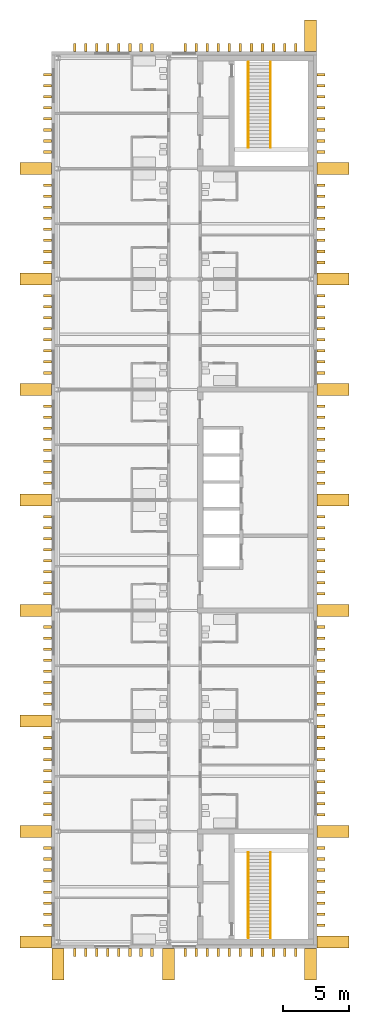
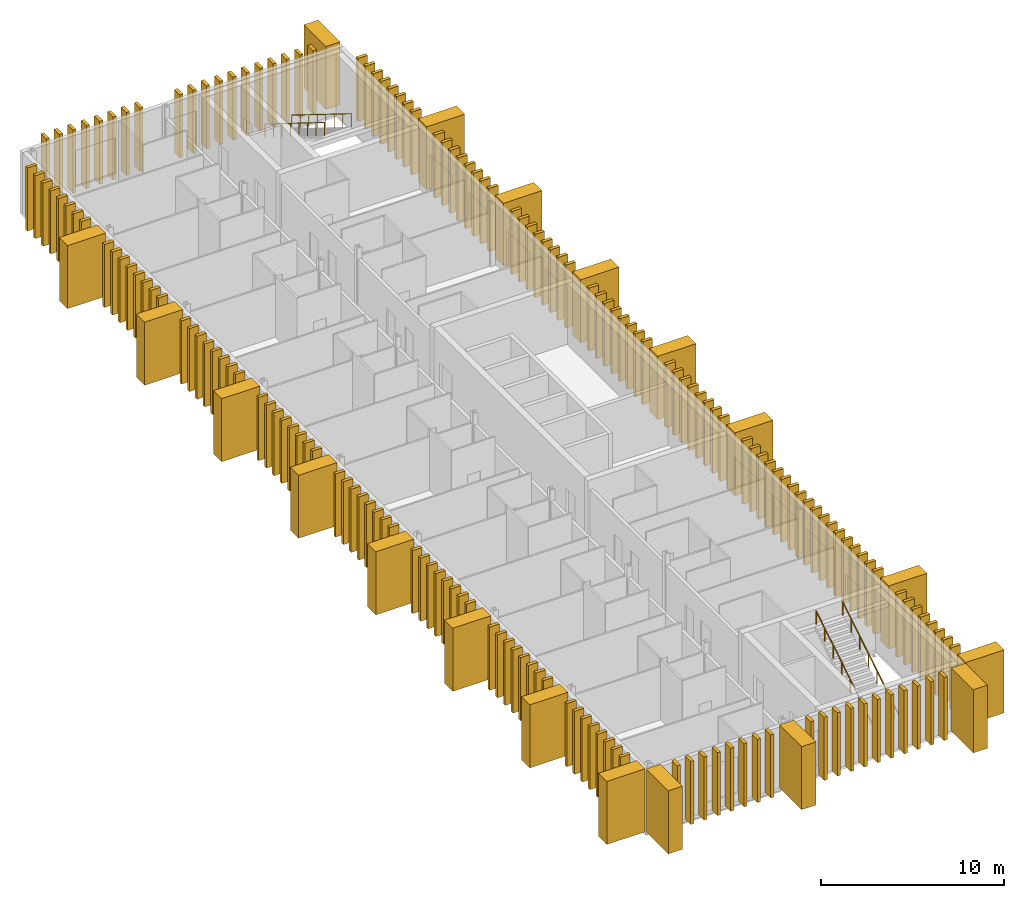
# One storey, part 10 of 11: 187 coverings, 4 railings.
"""IFC4 building model written with IfcOpenShell, lengths in metres."""

from ifc_helpers import new_model, si_unit, direction, frame, origin, origin_2d, place, context, subcontext, project, spatial, rectangle, circle, extrude, material, type_object, element, save


model = new_model("IFC4")

# Units and contexts
model_context = context("Model", 3, precision=1e-05, world=origin(), true_north=direction((0.0, 1.0)))
body_context = subcontext(model_context, "Body", "Model", "MODEL_VIEW")
ifc_project = project(units=[si_unit("LENGTHUNIT", "METRE"), si_unit("AREAUNIT", "SQUARE_METRE"), si_unit("VOLUMEUNIT", "CUBIC_METRE"), si_unit("PLANEANGLEUNIT", "RADIAN"), si_unit("MASSUNIT", "GRAM", prefix="KILO")], contexts=[model_context])

# Site, building, storey
site_placement = place(None, origin())
site = spatial("IfcSite", under=ifc_project, at=site_placement, CompositionType="ELEMENT")
building_placement = place(site_placement, origin())
building = spatial("IfcBuilding", under=site, at=building_placement, Name="Cresset Court Congress Hotel", CompositionType="ELEMENT")
storey_placement = place(building_placement, frame((0.0, 0.0, 60.60009765625)))
storey = spatial("IfcBuildingStorey", under=building, at=storey_placement, Name="L14", CompositionType="ELEMENT", Elevation=60.60009765625)

# Coverings
ifc_material_1 = material(Name="Precast concrete C50", Category="concrete")
covering_type_1 = type_object("IfcCoveringType", Name="Precast stone fin 200x600", PredefinedType="CLADDING", material=ifc_material_1)
for number, where, z_axis, x_axis, name in (
    (1, (177.199951171875, 1.260009765625, 0.0), (0.0, 0.0, 1.0), (1.0, 0.0, 0.0), "Fin E002"),
    (2, (177.199951171875, 2.10009765625, 0.0), (0.0, 0.0, 1.0), (1.0, 0.0, 0.0), "Fin E003"),
    (3, (177.199951171875, 2.93994140625, 0.0), (0.0, 0.0, 1.0), (1.0, 0.0, 0.0), "Fin E004"),
    (4, (177.199951171875, 3.780029296875, 0.0), (0.0, 0.0, 1.0), (1.0, 0.0, 0.0), "Fin E005"),
    (5, (177.199951171875, 4.6201171875, 0.0), (0.0, 0.0, 1.0), (1.0, 0.0, 0.0), "Fin E006"),
    (6, (177.199951171875, 5.4599609375, 0.0), (0.0, 0.0, 1.0), (1.0, 0.0, 0.0), "Fin E007"),
    (7, (177.199951171875, 6.300048828125, 0.0), (0.0, 0.0, 1.0), (1.0, 0.0, 0.0), "Fin E008"),
    (8, (177.199951171875, 7.139892578125, 0.0), (0.0, 0.0, 1.0), (1.0, 0.0, 0.0), "Fin E009"),
    (9, (177.199951171875, 9.659912109375, 0.0), (0.0, 0.0, 1.0), (1.0, 0.0, 0.0), "Fin E012"),
    (10, (177.199951171875, 10.5, 0.0), (0.0, 0.0, 1.0), (1.0, 0.0, 0.0), "Fin E013"),
    (11, (177.199951171875, 11.340087890625, 0.0), (0.0, 0.0, 1.0), (1.0, 0.0, 0.0), "Fin E014"),
    (12, (177.199951171875, 12.179931640625, 0.0), (0.0, 0.0, 1.0), (1.0, 0.0, 0.0), "Fin E015"),
    (13, (177.199951171875, 13.02001953125, 0.0), (0.0, 0.0, 1.0), (1.0, 0.0, 0.0), "Fin E016"),
    (14, (177.199951171875, 13.860107421875, 0.0), (0.0, 0.0, 1.0), (1.0, 0.0, 0.0), "Fin E017"),
    (15, (177.199951171875, 14.699951171875, 0.0), (0.0, 0.0, 1.0), (1.0, 0.0, 0.0), "Fin E018"),
    (16, (177.199951171875, 15.5400390625, 0.0), (0.0, 0.0, 1.0), (1.0, 0.0, 0.0), "Fin E019"),
    (17, (177.199951171875, 16.3798828125, 0.0), (0.0, 0.0, 1.0), (1.0, 0.0, 0.0), "Fin E020"),
    (18, (177.199951171875, 17.219970703125, 0.0), (0.0, 0.0, 1.0), (1.0, 0.0, 0.0), "Fin E021"),
    (19, (177.199951171875, 18.06005859375, 0.0), (0.0, 0.0, 1.0), (1.0, 0.0, 0.0), "Fin E022"),
    (20, (177.199951171875, 18.89990234375, 0.0), (0.0, 0.0, 1.0), (1.0, 0.0, 0.0), "Fin E023"),
    (21, (177.199951171875, 19.739990234375, 0.0), (0.0, 0.0, 1.0), (1.0, 0.0, 0.0), "Fin E024"),
    (22, (177.199951171875, 20.580078125, 0.0), (0.0, 0.0, 1.0), (1.0, 0.0, 0.0), "Fin E025"),
    (23, (177.199951171875, 21.419921875, 0.0), (0.0, 0.0, 1.0), (1.0, 0.0, 0.0), "Fin E026"),
    (24, (177.199951171875, 22.260009765625, 0.0), (0.0, 0.0, 1.0), (1.0, 0.0, 0.0), "Fin E027"),
    (25, (177.199951171875, 23.10009765625, 0.0), (0.0, 0.0, 1.0), (1.0, 0.0, 0.0), "Fin E028"),
    (26, (177.199951171875, 23.93994140625, 0.0), (0.0, 0.0, 1.0), (1.0, 0.0, 0.0), "Fin E029"),
    (27, (177.199951171875, 26.4599609375, 0.0), (0.0, 0.0, 1.0), (1.0, 0.0, 0.0), "Fin E032"),
    (28, (177.199951171875, 27.300048828125, 0.0), (0.0, 0.0, 1.0), (1.0, 0.0, 0.0), "Fin E033"),
    (29, (177.199951171875, 28.139892578125, 0.0), (0.0, 0.0, 1.0), (1.0, 0.0, 0.0), "Fin E034"),
    (30, (177.199951171875, 28.97998046875, 0.0), (0.0, 0.0, 1.0), (1.0, 0.0, 0.0), "Fin E035"),
    (31, (177.199951171875, 29.820068359375, 0.0), (0.0, 0.0, 1.0), (1.0, 0.0, 0.0), "Fin E036"),
    (32, (177.199951171875, 30.659912109375, 0.0), (0.0, 0.0, 1.0), (1.0, 0.0, 0.0), "Fin E037"),
    (33, (177.199951171875, 31.5, 0.0), (0.0, 0.0, 1.0), (1.0, 0.0, 0.0), "Fin E038"),
    (34, (177.199951171875, 32.340087890625, 0.0), (0.0, 0.0, 1.0), (1.0, 0.0, 0.0), "Fin E039"),
    (35, (177.199951171875, 34.860107421875, 0.0), (0.0, 0.0, 1.0), (1.0, 0.0, 0.0), "Fin E042"),
    (36, (177.199951171875, 35.699951171875, 0.0), (0.0, 0.0, 1.0), (1.0, 0.0, 0.0), "Fin E043"),
    (37, (177.199951171875, 36.5400390625, 0.0), (0.0, 0.0, 1.0), (1.0, 0.0, 0.0), "Fin E044"),
    (38, (177.199951171875, 37.3798828125, 0.0), (0.0, 0.0, 1.0), (1.0, 0.0, 0.0), "Fin E045"),
    (39, (177.199951171875, 38.219970703125, 0.0), (0.0, 0.0, 1.0), (1.0, 0.0, 0.0), "Fin E046"),
    (40, (177.199951171875, 39.06005859375, 0.0), (0.0, 0.0, 1.0), (1.0, 0.0, 0.0), "Fin E047"),
    (41, (177.199951171875, 39.89990234375, 0.0), (0.0, 0.0, 1.0), (1.0, 0.0, 0.0), "Fin E048"),
    (42, (177.199951171875, 40.739990234375, 0.0), (0.0, 0.0, 1.0), (1.0, 0.0, 0.0), "Fin E049"),
    (43, (177.199951171875, 43.260009765625, 0.0), (0.0, 0.0, 1.0), (1.0, 0.0, 0.0), "Fin E052"),
    (44, (177.199951171875, 44.10009765625, 0.0), (0.0, 0.0, 1.0), (1.0, 0.0, 0.0), "Fin E053"),
    (45, (177.199951171875, 44.93994140625, 0.0), (0.0, 0.0, 1.0), (1.0, 0.0, 0.0), "Fin E054"),
    (46, (177.199951171875, 45.780029296875, 0.0), (0.0, 0.0, 1.0), (1.0, 0.0, 0.0), "Fin E055"),
    (47, (177.199951171875, 46.6201171875, 0.0), (0.0, 0.0, 1.0), (1.0, 0.0, 0.0), "Fin E056"),
    (48, (177.199951171875, 47.4599609375, 0.0), (0.0, 0.0, 1.0), (1.0, 0.0, 0.0), "Fin E057"),
    (49, (177.199951171875, 48.300048828125, 0.0), (0.0, 0.0, 1.0), (1.0, 0.0, 0.0), "Fin E058"),
    (50, (177.199951171875, 49.139892578125, 0.0), (0.0, 0.0, 1.0), (1.0, 0.0, 0.0), "Fin E059"),
    (51, (177.199951171875, 51.659912109375, 0.0), (0.0, 0.0, 1.0), (1.0, 0.0, 0.0), "Fin E062"),
    (52, (177.199951171875, 52.5, 0.0), (0.0, 0.0, 1.0), (1.0, 0.0, 0.0), "Fin E063"),
    (53, (177.199951171875, 53.340087890625, 0.0), (0.0, 0.0, 1.0), (1.0, 0.0, 0.0), "Fin E064"),
    (54, (177.199951171875, 54.179931640625, 0.0), (0.0, 0.0, 1.0), (1.0, 0.0, 0.0), "Fin E065"),
    (55, (177.199951171875, 55.02001953125, 0.0), (0.0, 0.0, 1.0), (1.0, 0.0, 0.0), "Fin E066"),
    (56, (177.199951171875, 55.860107421875, 0.0), (0.0, 0.0, 1.0), (1.0, 0.0, 0.0), "Fin E067"),
    (57, (177.199951171875, 56.699951171875, 0.0), (0.0, 0.0, 1.0), (1.0, 0.0, 0.0), "Fin E068"),
    (58, (177.199951171875, 57.5400390625, 0.0), (0.0, 0.0, 1.0), (1.0, 0.0, 0.0), "Fin E069"),
    (59, (177.199951171875, 60.06005859375, 0.0), (0.0, 0.0, 1.0), (1.0, 0.0, 0.0), "Fin E072"),
    (60, (177.199951171875, 60.89990234375, 0.0), (0.0, 0.0, 1.0), (1.0, 0.0, 0.0), "Fin E073"),
    (61, (177.199951171875, 61.739990234375, 0.0), (0.0, 0.0, 1.0), (1.0, 0.0, 0.0), "Fin E074"),
    (62, (177.199951171875, 62.580078125, 0.0), (0.0, 0.0, 1.0), (1.0, 0.0, 0.0), "Fin E075"),
    (63, (177.199951171875, 63.419921875, 0.0), (0.0, 0.0, 1.0), (1.0, 0.0, 0.0), "Fin E076"),
    (64, (177.199951171875, 64.260009765625, 0.0), (0.0, 0.0, 1.0), (1.0, 0.0, 0.0), "Fin E077"),
    (65, (177.199951171875, 65.10009765625, 0.0), (0.0, 0.0, 1.0), (1.0, 0.0, 0.0), "Fin E078"),
    (66, (177.199951171875, 65.93994140625, 0.0), (0.0, 0.0, 1.0), (1.0, 0.0, 0.0), "Fin E079"),
    (67, (156.39990234375, 1.260009765625, 0.0), (0.0, 0.0, 1.0), (1.0, 0.0, 0.0), "Fin W002"),
    (68, (156.39990234375, 2.10009765625, 0.0), (0.0, 0.0, 1.0), (1.0, 0.0, 0.0), "Fin W003"),
    (69, (156.39990234375, 2.93994140625, 0.0), (0.0, 0.0, 1.0), (1.0, 0.0, 0.0), "Fin W004"),
    (70, (156.39990234375, 3.780029296875, 0.0), (0.0, 0.0, 1.0), (1.0, 0.0, 0.0), "Fin W005"),
    (71, (156.39990234375, 4.6201171875, 0.0), (0.0, 0.0, 1.0), (1.0, 0.0, 0.0), "Fin W006"),
    (72, (156.39990234375, 5.4599609375, 0.0), (0.0, 0.0, 1.0), (1.0, 0.0, 0.0), "Fin W007"),
    (73, (156.39990234375, 6.300048828125, 0.0), (0.0, 0.0, 1.0), (1.0, 0.0, 0.0), "Fin W008"),
    (74, (156.39990234375, 7.139892578125, 0.0), (0.0, 0.0, 1.0), (1.0, 0.0, 0.0), "Fin W009"),
    (75, (156.39990234375, 9.659912109375, 0.0), (0.0, 0.0, 1.0), (1.0, 0.0, 0.0), "Fin W012"),
    (76, (156.39990234375, 10.5, 0.0), (0.0, 0.0, 1.0), (1.0, 0.0, 0.0), "Fin W013"),
    (77, (156.39990234375, 11.340087890625, 0.0), (0.0, 0.0, 1.0), (1.0, 0.0, 0.0), "Fin W014"),
    (78, (156.39990234375, 12.179931640625, 0.0), (0.0, 0.0, 1.0), (1.0, 0.0, 0.0), "Fin W015"),
    (79, (156.39990234375, 13.02001953125, 0.0), (0.0, 0.0, 1.0), (1.0, 0.0, 0.0), "Fin W016"),
    (80, (156.39990234375, 13.860107421875, 0.0), (0.0, 0.0, 1.0), (1.0, 0.0, 0.0), "Fin W017"),
    (81, (156.39990234375, 14.699951171875, 0.0), (0.0, 0.0, 1.0), (1.0, 0.0, 0.0), "Fin W018"),
    (82, (156.39990234375, 15.5400390625, 0.0), (0.0, 0.0, 1.0), (1.0, 0.0, 0.0), "Fin W019"),
    (83, (156.39990234375, 18.06005859375, 0.0), (0.0, 0.0, 1.0), (1.0, 0.0, 0.0), "Fin W022"),
    (84, (156.39990234375, 18.89990234375, 0.0), (0.0, 0.0, 1.0), (1.0, 0.0, 0.0), "Fin W023"),
    (85, (156.39990234375, 19.739990234375, 0.0), (0.0, 0.0, 1.0), (1.0, 0.0, 0.0), "Fin W024"),
    (86, (156.39990234375, 20.580078125, 0.0), (0.0, 0.0, 1.0), (1.0, 0.0, 0.0), "Fin W025"),
    (87, (156.39990234375, 21.419921875, 0.0), (0.0, 0.0, 1.0), (1.0, 0.0, 0.0), "Fin W026"),
    (88, (156.39990234375, 22.260009765625, 0.0), (0.0, 0.0, 1.0), (1.0, 0.0, 0.0), "Fin W027"),
    (89, (156.39990234375, 23.10009765625, 0.0), (0.0, 0.0, 1.0), (1.0, 0.0, 0.0), "Fin W028"),
    (90, (156.39990234375, 23.93994140625, 0.0), (0.0, 0.0, 1.0), (1.0, 0.0, 0.0), "Fin W029"),
    (91, (156.39990234375, 26.4599609375, 0.0), (0.0, 0.0, 1.0), (1.0, 0.0, 0.0), "Fin W032"),
    (92, (156.39990234375, 27.300048828125, 0.0), (0.0, 0.0, 1.0), (1.0, 0.0, 0.0), "Fin W033"),
    (93, (156.39990234375, 28.139892578125, 0.0), (0.0, 0.0, 1.0), (1.0, 0.0, 0.0), "Fin W034"),
    (94, (156.39990234375, 28.97998046875, 0.0), (0.0, 0.0, 1.0), (1.0, 0.0, 0.0), "Fin W035"),
    (95, (156.39990234375, 29.820068359375, 0.0), (0.0, 0.0, 1.0), (1.0, 0.0, 0.0), "Fin W036"),
    (96, (156.39990234375, 30.659912109375, 0.0), (0.0, 0.0, 1.0), (1.0, 0.0, 0.0), "Fin W037"),
    (97, (156.39990234375, 31.5, 0.0), (0.0, 0.0, 1.0), (1.0, 0.0, 0.0), "Fin W038"),
    (98, (156.39990234375, 32.340087890625, 0.0), (0.0, 0.0, 1.0), (1.0, 0.0, 0.0), "Fin W039"),
    (99, (156.39990234375, 34.860107421875, 0.0), (0.0, 0.0, 1.0), (1.0, 0.0, 0.0), "Fin W042"),
    (100, (156.39990234375, 35.699951171875, 0.0), (0.0, 0.0, 1.0), (1.0, 0.0, 0.0), "Fin W043"),
    (101, (156.39990234375, 36.5400390625, 0.0), (0.0, 0.0, 1.0), (1.0, 0.0, 0.0), "Fin W044"),
    (102, (156.39990234375, 37.3798828125, 0.0), (0.0, 0.0, 1.0), (1.0, 0.0, 0.0), "Fin W045"),
    (103, (156.39990234375, 38.219970703125, 0.0), (0.0, 0.0, 1.0), (1.0, 0.0, 0.0), "Fin W046"),
    (104, (156.39990234375, 39.06005859375, 0.0), (0.0, 0.0, 1.0), (1.0, 0.0, 0.0), "Fin W047"),
    (105, (156.39990234375, 39.89990234375, 0.0), (0.0, 0.0, 1.0), (1.0, 0.0, 0.0), "Fin W048"),
    (106, (156.39990234375, 40.739990234375, 0.0), (0.0, 0.0, 1.0), (1.0, 0.0, 0.0), "Fin W049"),
    (107, (156.39990234375, 43.260009765625, 0.0), (0.0, 0.0, 1.0), (1.0, 0.0, 0.0), "Fin W052"),
    (108, (156.39990234375, 44.10009765625, 0.0), (0.0, 0.0, 1.0), (1.0, 0.0, 0.0), "Fin W053"),
    (109, (156.39990234375, 44.93994140625, 0.0), (0.0, 0.0, 1.0), (1.0, 0.0, 0.0), "Fin W054"),
    (110, (156.39990234375, 45.780029296875, 0.0), (0.0, 0.0, 1.0), (1.0, 0.0, 0.0), "Fin W055"),
    (111, (156.39990234375, 46.6201171875, 0.0), (0.0, 0.0, 1.0), (1.0, 0.0, 0.0), "Fin W056"),
    (112, (156.39990234375, 47.4599609375, 0.0), (0.0, 0.0, 1.0), (1.0, 0.0, 0.0), "Fin W057"),
    (113, (156.39990234375, 48.300048828125, 0.0), (0.0, 0.0, 1.0), (1.0, 0.0, 0.0), "Fin W058"),
    (114, (156.39990234375, 49.139892578125, 0.0), (0.0, 0.0, 1.0), (1.0, 0.0, 0.0), "Fin W059"),
    (115, (156.39990234375, 51.659912109375, 0.0), (0.0, 0.0, 1.0), (1.0, 0.0, 0.0), "Fin W062"),
    (116, (156.39990234375, 52.5, 0.0), (0.0, 0.0, 1.0), (1.0, 0.0, 0.0), "Fin W063"),
    (117, (156.39990234375, 53.340087890625, 0.0), (0.0, 0.0, 1.0), (1.0, 0.0, 0.0), "Fin W064"),
    (118, (156.39990234375, 54.179931640625, 0.0), (0.0, 0.0, 1.0), (1.0, 0.0, 0.0), "Fin W065"),
    (119, (156.39990234375, 55.02001953125, 0.0), (0.0, 0.0, 1.0), (1.0, 0.0, 0.0), "Fin W066"),
    (120, (156.39990234375, 55.860107421875, 0.0), (0.0, 0.0, 1.0), (1.0, 0.0, 0.0), "Fin W067"),
    (121, (156.39990234375, 56.699951171875, 0.0), (0.0, 0.0, 1.0), (1.0, 0.0, 0.0), "Fin W068"),
    (122, (156.39990234375, 57.5400390625, 0.0), (0.0, 0.0, 1.0), (1.0, 0.0, 0.0), "Fin W069"),
    (123, (156.39990234375, 60.06005859375, 0.0), (0.0, 0.0, 1.0), (1.0, 0.0, 0.0), "Fin W072"),
    (124, (156.39990234375, 60.89990234375, 0.0), (0.0, 0.0, 1.0), (1.0, 0.0, 0.0), "Fin W073"),
    (125, (156.39990234375, 61.739990234375, 0.0), (0.0, 0.0, 1.0), (1.0, 0.0, 0.0), "Fin W074"),
    (126, (156.39990234375, 62.580078125, 0.0), (0.0, 0.0, 1.0), (1.0, 0.0, 0.0), "Fin W075"),
    (127, (156.39990234375, 63.419921875, 0.0), (0.0, 0.0, 1.0), (1.0, 0.0, 0.0), "Fin W076"),
    (128, (156.39990234375, 64.260009765625, 0.0), (0.0, 0.0, 1.0), (1.0, 0.0, 0.0), "Fin W077"),
    (129, (156.39990234375, 65.10009765625, 0.0), (0.0, 0.0, 1.0), (1.0, 0.0, 0.0), "Fin W078"),
    (130, (156.39990234375, 65.93994140625, 0.0), (0.0, 0.0, 1.0), (1.0, 0.0, 0.0), "Fin W079"),
):
    element("IfcCovering", number, at=place(storey_placement, frame(where, z_axis=z_axis, x_axis=x_axis)), inside=storey, type_object=covering_type_1, Name=name, PredefinedType="CLADDING", context=body_context, shape_type="SweptSolid", body=[
        extrude(rectangle(XDim=0.60009765625, YDim=0.199951171875, at=origin_2d()), origin(), (0.0, 0.0, 1.0), 4.199951171875),
    ])
for number, where, z_axis, x_axis, name in (
    (131, (158.4599609375, -0.800048828125, 0.0), (0.0, 0.0, 1.0), (1.0, 0.0, 0.0), "Fin S002"),
    (132, (159.300048828125, -0.800048828125, 0.0), (0.0, 0.0, 1.0), (1.0, 0.0, 0.0), "Fin S003"),
    (133, (160.139892578125, -0.800048828125, 0.0), (0.0, 0.0, 1.0), (1.0, 0.0, 0.0), "Fin S004"),
    (134, (160.97998046875, -0.800048828125, 0.0), (0.0, 0.0, 1.0), (1.0, 0.0, 0.0), "Fin S005"),
    (135, (161.820068359375, -0.800048828125, 0.0), (0.0, 0.0, 1.0), (1.0, 0.0, 0.0), "Fin S006"),
    (136, (162.659912109375, -0.800048828125, 0.0), (0.0, 0.0, 1.0), (1.0, 0.0, 0.0), "Fin S007"),
    (137, (163.5, -0.800048828125, 0.0), (0.0, 0.0, 1.0), (1.0, 0.0, 0.0), "Fin S008"),
    (138, (164.340087890625, -0.800048828125, 0.0), (0.0, 0.0, 1.0), (1.0, 0.0, 0.0), "Fin S009"),
    (139, (166.860107421875, -0.800048828125, 0.0), (0.0, 0.0, 1.0), (1.0, 0.0, 0.0), "Fin S012"),
    (140, (167.699951171875, -0.800048828125, 0.0), (0.0, 0.0, 1.0), (1.0, 0.0, 0.0), "Fin S013"),
    (141, (168.5400390625, -0.800048828125, 0.0), (0.0, 0.0, 1.0), (1.0, 0.0, 0.0), "Fin S014"),
    (142, (169.3798828125, -0.800048828125, 0.0), (0.0, 0.0, 1.0), (1.0, 0.0, 0.0), "Fin S015"),
    (143, (170.219970703125, -0.800048828125, 0.0), (0.0, 0.0, 1.0), (1.0, 0.0, 0.0), "Fin S016"),
    (144, (171.06005859375, -0.800048828125, 0.0), (0.0, 0.0, 1.0), (1.0, 0.0, 0.0), "Fin S017"),
    (145, (171.89990234375, -0.800048828125, 0.0), (0.0, 0.0, 1.0), (1.0, 0.0, 0.0), "Fin S018"),
    (146, (172.739990234375, -0.800048828125, 0.0), (0.0, 0.0, 1.0), (1.0, 0.0, 0.0), "Fin S019"),
    (147, (173.580078125, -0.800048828125, 0.0), (0.0, 0.0, 1.0), (1.0, 0.0, 0.0), "Fin S020"),
    (148, (174.419921875, -0.800048828125, 0.0), (0.0, 0.0, 1.0), (1.0, 0.0, 0.0), "Fin S021"),
    (149, (175.260009765625, -0.800048828125, 0.0), (0.0, 0.0, 1.0), (1.0, 0.0, 0.0), "Fin S022"),
    (150, (158.4599609375, 68.0, 0.0), (0.0, 0.0, 1.0), (1.0, 0.0, 0.0), "Fin N002"),
    (151, (159.300048828125, 68.0, 0.0), (0.0, 0.0, 1.0), (1.0, 0.0, 0.0), "Fin N003"),
    (152, (160.139892578125, 68.0, 0.0), (0.0, 0.0, 1.0), (1.0, 0.0, 0.0), "Fin N004"),
    (153, (160.97998046875, 68.0, 0.0), (0.0, 0.0, 1.0), (1.0, 0.0, 0.0), "Fin N005"),
    (154, (161.820068359375, 68.0, 0.0), (0.0, 0.0, 1.0), (1.0, 0.0, 0.0), "Fin N006"),
    (155, (162.659912109375, 68.0, 0.0), (0.0, 0.0, 1.0), (1.0, 0.0, 0.0), "Fin N007"),
    (156, (163.5, 68.0, 0.0), (0.0, 0.0, 1.0), (1.0, 0.0, 0.0), "Fin N008"),
    (157, (164.340087890625, 68.0, 0.0), (0.0, 0.0, 1.0), (1.0, 0.0, 0.0), "Fin N009"),
    (158, (166.860107421875, 68.0, 0.0), (0.0, 0.0, 1.0), (1.0, 0.0, 0.0), "Fin N012"),
    (159, (167.699951171875, 68.0, 0.0), (0.0, 0.0, 1.0), (1.0, 0.0, 0.0), "Fin N013"),
    (160, (168.5400390625, 68.0, 0.0), (0.0, 0.0, 1.0), (1.0, 0.0, 0.0), "Fin N014"),
    (161, (169.3798828125, 68.0, 0.0), (0.0, 0.0, 1.0), (1.0, 0.0, 0.0), "Fin N015"),
    (162, (170.219970703125, 68.0, 0.0), (0.0, 0.0, 1.0), (1.0, 0.0, 0.0), "Fin N016"),
    (163, (171.06005859375, 68.0, 0.0), (0.0, 0.0, 1.0), (1.0, 0.0, 0.0), "Fin N017"),
    (164, (171.89990234375, 68.0, 0.0), (0.0, 0.0, 1.0), (1.0, 0.0, 0.0), "Fin N018"),
    (165, (172.739990234375, 68.0, 0.0), (0.0, 0.0, 1.0), (1.0, 0.0, 0.0), "Fin N019"),
    (166, (173.580078125, 68.0, 0.0), (0.0, 0.0, 1.0), (1.0, 0.0, 0.0), "Fin N020"),
    (167, (174.419921875, 68.0, 0.0), (0.0, 0.0, 1.0), (1.0, 0.0, 0.0), "Fin N021"),
    (168, (175.260009765625, 68.0, 0.0), (0.0, 0.0, 1.0), (1.0, 0.0, 0.0), "Fin N022"),
):
    element("IfcCovering", number, at=place(storey_placement, frame(where, z_axis=z_axis, x_axis=x_axis)), inside=storey, type_object=covering_type_1, Name=name, PredefinedType="CLADDING", context=body_context, shape_type="SweptSolid", body=[
        extrude(rectangle(XDim=0.199951171875, YDim=0.60009765625, at=origin_2d()), origin(), (0.0, 0.0, 1.0), 4.199951171875),
    ])
ifc_material_2 = material(Name="Precast concrete C50", Category="concrete")
covering_type_2 = type_object("IfcCoveringType", Name="Precast stone pier 900x2400", PredefinedType="CLADDING", material=ifc_material_2)
for number, where, z_axis, x_axis, name in (
    (169, (178.10009765625, 0.0, 0.0), (0.0, 0.0, 1.0), (1.0, 0.0, 0.0), "Pier E01"),
    (170, (178.10009765625, 8.39990234375, 0.0), (0.0, 0.0, 1.0), (1.0, 0.0, 0.0), "Pier E02"),
    (171, (178.10009765625, 25.199951171875, 0.0), (0.0, 0.0, 1.0), (1.0, 0.0, 0.0), "Pier E03"),
    (172, (178.10009765625, 33.60009765625, 0.0), (0.0, 0.0, 1.0), (1.0, 0.0, 0.0), "Pier E04"),
    (173, (178.10009765625, 42.0, 0.0), (0.0, 0.0, 1.0), (1.0, 0.0, 0.0), "Pier E05"),
    (174, (178.10009765625, 50.39990234375, 0.0), (0.0, 0.0, 1.0), (1.0, 0.0, 0.0), "Pier E06"),
    (175, (178.10009765625, 58.800048828125, 0.0), (0.0, 0.0, 1.0), (1.0, 0.0, 0.0), "Pier E07"),
    (176, (155.5, 0.0, 0.0), (0.0, 0.0, 1.0), (1.0, 0.0, 0.0), "Pier W01"),
    (177, (155.5, 8.39990234375, 0.0), (0.0, 0.0, 1.0), (1.0, 0.0, 0.0), "Pier W02"),
    (178, (155.5, 16.800048828125, 0.0), (0.0, 0.0, 1.0), (1.0, 0.0, 0.0), "Pier W03"),
    (179, (155.5, 25.199951171875, 0.0), (0.0, 0.0, 1.0), (1.0, 0.0, 0.0), "Pier W04"),
    (180, (155.5, 33.60009765625, 0.0), (0.0, 0.0, 1.0), (1.0, 0.0, 0.0), "Pier W05"),
    (181, (155.5, 42.0, 0.0), (0.0, 0.0, 1.0), (1.0, 0.0, 0.0), "Pier W06"),
    (182, (155.5, 50.39990234375, 0.0), (0.0, 0.0, 1.0), (1.0, 0.0, 0.0), "Pier W07"),
    (183, (155.5, 58.800048828125, 0.0), (0.0, 0.0, 1.0), (1.0, 0.0, 0.0), "Pier W08"),
):
    element("IfcCovering", number, at=place(storey_placement, frame(where, z_axis=z_axis, x_axis=x_axis)), inside=storey, type_object=covering_type_2, Name=name, PredefinedType="CLADDING", context=body_context, shape_type="SweptSolid", body=[
        extrude(rectangle(XDim=2.39990234375, YDim=0.89990234375, at=origin_2d()), origin(), (0.0, 0.0, 1.0), 4.199951171875),
    ])
for number, where, z_axis, x_axis, name in (
    (184, (157.199951171875, -1.699951171875, 0.0), (0.0, 0.0, 1.0), (1.0, 0.0, 0.0), "Pier S01"),
    (185, (165.60009765625, -1.699951171875, 0.0), (0.0, 0.0, 1.0), (1.0, 0.0, 0.0), "Pier S02"),
    (186, (176.39990234375, -1.699951171875, 0.0), (0.0, 0.0, 1.0), (1.0, 0.0, 0.0), "Pier S03"),
    (187, (176.39990234375, 68.89990234375, 0.0), (0.0, 0.0, 1.0), (1.0, 0.0, 0.0), "Pier N03"),
):
    element("IfcCovering", number, at=place(storey_placement, frame(where, z_axis=z_axis, x_axis=x_axis)), inside=storey, type_object=covering_type_2, Name=name, PredefinedType="CLADDING", context=body_context, shape_type="SweptSolid", body=[
        extrude(rectangle(XDim=0.89990234375, YDim=2.39990234375, at=origin_2d()), origin(), (0.0, 0.0, 1.0), 4.199951171875),
    ])

# Railings
ifc_material_3 = material(Name="Stainless steel", Category="steel")
railing_type = type_object("IfcRailingType", Name="Stair handrail 900", PredefinedType="HANDRAIL", material=ifc_material_3)
for number, where, name in (
    (188, (171.659912109375, 0.300048828125, 0.161376953125), "Handrail A1 L14"),
    (189, (173.340087890625, 0.300048828125, 0.161376953125), "Handrail A1 L14"),
):
    element("IfcRailing", number, at=place(storey_placement, frame(where)), inside=storey, type_object=railing_type, Name=name, PredefinedType="HANDRAIL", context=body_context, shape_type="SweptSolid", body=[
        extrude(circle(Radius=0.02392578125, at=origin_2d()), frame((0.0, 0.0, 0.8759765625), z_axis=(0.0, 0.849400514252, 0.527748772039), x_axis=(-1.0, 0.0, 0.0)), (0.0, 0.0, 1.0), 7.65234375),
        extrude(circle(Radius=0.02099609375, at=origin_2d()), origin(), (0.0, 0.0, 1.0), 0.851806640625),
        extrude(circle(Radius=0.02099609375, at=origin_2d()), frame((0.0, 0.928466796875, 0.576904296875)), (0.0, 0.0, 1.0), 0.851806640625),
        extrude(circle(Radius=0.02099609375, at=origin_2d()), frame((0.0, 1.857177734375, 1.15380859375)), (0.0, 0.0, 1.0), 0.851806640625),
        extrude(circle(Radius=0.02099609375, at=origin_2d()), frame((0.0, 2.78564453125, 1.730712890625)), (0.0, 0.0, 1.0), 0.851806640625),
        extrude(circle(Radius=0.02099609375, at=origin_2d()), frame((0.0, 3.71435546875, 2.307861328125)), (0.0, 0.0, 1.0), 0.851806640625),
        extrude(circle(Radius=0.02099609375, at=origin_2d()), frame((0.0, 4.642822265625, 2.884765625)), (0.0, 0.0, 1.0), 0.851806640625),
        extrude(circle(Radius=0.02099609375, at=origin_2d()), frame((0.0, 5.571533203125, 3.461669921875)), (0.0, 0.0, 1.0), 0.851806640625),
        extrude(circle(Radius=0.02099609375, at=origin_2d()), frame((0.0, 6.5, 4.03857421875)), (0.0, 0.0, 1.0), 0.851806640625),
    ])
for number, where, name in (
    (190, (171.659912109375, 66.89990234375, 0.161376953125), "Handrail A2 L14"),
    (191, (173.340087890625, 66.89990234375, 0.161376953125), "Handrail A2 L14"),
):
    element("IfcRailing", number, at=place(storey_placement, frame(where)), inside=storey, type_object=railing_type, Name=name, PredefinedType="HANDRAIL", context=body_context, shape_type="SweptSolid", body=[
        extrude(circle(Radius=0.02392578125, at=origin_2d()), frame((0.0, 0.0, 0.8759765625), z_axis=(0.0, -0.849400514252, 0.527748772039), x_axis=(1.0, 0.0, 0.0)), (0.0, 0.0, 1.0), 7.65234375),
        extrude(circle(Radius=0.02099609375, at=origin_2d()), origin(), (0.0, 0.0, 1.0), 0.851806640625),
        extrude(circle(Radius=0.02099609375, at=origin_2d()), frame((0.0, -0.928466796875, 0.576904296875)), (0.0, 0.0, 1.0), 0.851806640625),
        extrude(circle(Radius=0.02099609375, at=origin_2d()), frame((0.0, -1.857177734375, 1.15380859375)), (0.0, 0.0, 1.0), 0.851806640625),
        extrude(circle(Radius=0.02099609375, at=origin_2d()), frame((0.0, -2.78564453125, 1.730712890625)), (0.0, 0.0, 1.0), 0.851806640625),
        extrude(circle(Radius=0.02099609375, at=origin_2d()), frame((0.0, -3.71435546875, 2.307861328125)), (0.0, 0.0, 1.0), 0.851806640625),
        extrude(circle(Radius=0.02099609375, at=origin_2d()), frame((0.0, -4.642822265625, 2.884765625)), (0.0, 0.0, 1.0), 0.851806640625),
        extrude(circle(Radius=0.02099609375, at=origin_2d()), frame((0.0, -5.571533203125, 3.461669921875)), (0.0, 0.0, 1.0), 0.851806640625),
        extrude(circle(Radius=0.02099609375, at=origin_2d()), frame((0.0, -6.5, 4.03857421875)), (0.0, 0.0, 1.0), 0.851806640625),
    ])

save(model, "model.ifc")
